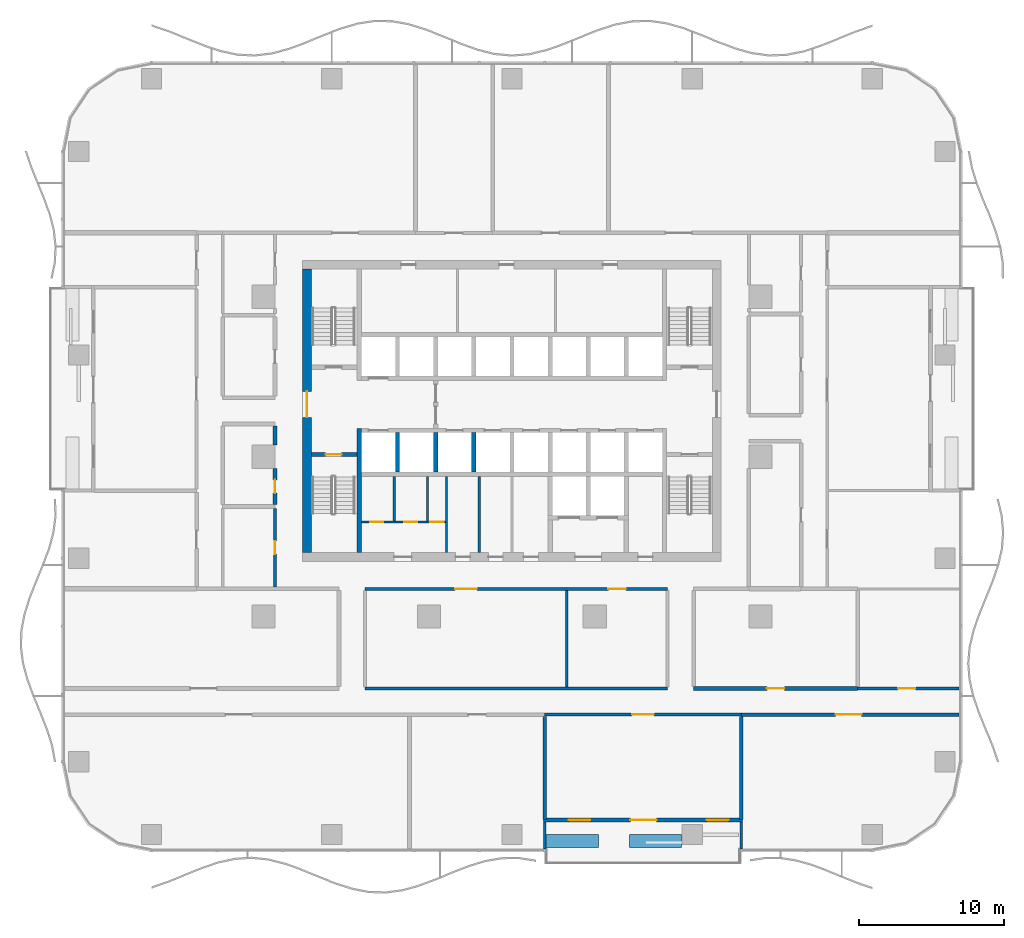
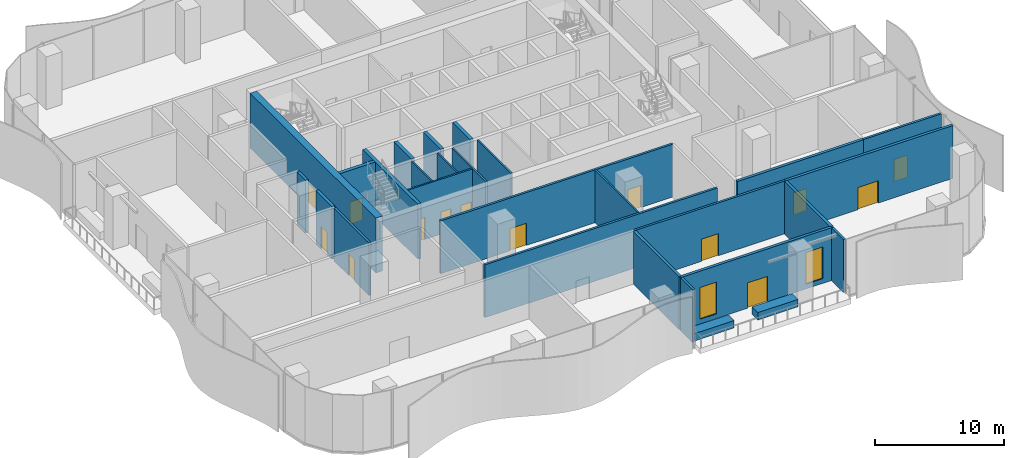
# One storey, part 8 of 21: 28 walls, 14 doors, 2 windows, 16 openings.
"""IFC4 building model written with IfcOpenShell, lengths in metres."""

from ifc_helpers import new_model, si_unit, direction, frame, frame_2d, origin, place, context, subcontext, project, spatial, rectangle, extrude, material, layer, layer_set, type_object, element, fill, save


model = new_model("IFC4")

# Units and contexts
model_context = context("Model", 3, precision=1e-05, world=origin(), true_north=direction((0.0, 1.0)))
body_context = subcontext(model_context, "Body", "Model", "MODEL_VIEW")
ifc_project = project(units=[si_unit("LENGTHUNIT", "METRE"), si_unit("AREAUNIT", "SQUARE_METRE"), si_unit("VOLUMEUNIT", "CUBIC_METRE"), si_unit("PLANEANGLEUNIT", "RADIAN"), si_unit("MASSUNIT", "GRAM", prefix="KILO")], contexts=[model_context])

# Site, building, storey
site_placement = place(None, origin())
site = spatial("IfcSite", under=ifc_project, at=site_placement, CompositionType="ELEMENT")
building_placement = place(site_placement, origin())
building = spatial("IfcBuilding", under=site, at=building_placement, Name="Mopane Tessera Tower", CompositionType="ELEMENT")
storey_placement = place(building_placement, frame((0.0, 0.0, 20.0)))
storey = spatial("IfcBuildingStorey", under=building, at=storey_placement, Name="L03", CompositionType="ELEMENT", Elevation=20.0)

# Wall, openings, doors
ifc_material_1 = material(Name="Fire-rated gypsum board partition")
ifc_layer_1 = layer(ifc_material_1, 0.14990234375)
ifc_layer_set_1 = layer_set([ifc_layer_1], Name="Fire-rated gypsum board partition")
wall_type_1 = type_object("IfcWallType", Name="Core room partition 150 mm", PredefinedType="PARTITIONING", material=ifc_layer_set_1)
wall_1_placement = place(storey_placement, frame((-10.35009765625, -4.5, 0.0), z_axis=(0.0, 0.0, 1.0), x_axis=(1.0, 0.0, 0.0)))
wall_1 = element("IfcWall", 1, at=wall_1_placement, inside=storey, type_object=wall_type_1, Name="L03 WC partition", PredefinedType="PARTITIONING", context=body_context, shape_type="SweptSolid", body=[
    extrude(rectangle(XDim=5.775146484375, YDim=0.14990234375, at=frame_2d((2.8876953125, 0.0))), origin(), (0.0, 0.0, 1.0), 5.199951171875),
])
opening_1_placement = place(wall_1_placement, frame((0.60009765625, 0.0, 0.0)))
opening_1 = element("IfcOpeningElement", 2, at=opening_1_placement, cuts=wall_1, Name="Opening WD1", PredefinedType="OPENING", context=body_context, shape_type="SweptSolid", body=[
    extrude(rectangle(XDim=0.89990234375, YDim=2.10009765625, at=frame_2d((0.449951171875, 1.050048828125))), frame((0.0, 0.0869140625, 0.0), z_axis=(0.0, -1.0, 0.0), x_axis=(1.0, 0.0, 0.0)), (0.0, 0.0, 1.0), 0.173828125),
])
opening_2_placement = place(wall_1_placement, frame((2.93994140625, 0.0, 0.0)))
opening_2 = element("IfcOpeningElement", 3, at=opening_2_placement, cuts=wall_1, Name="Opening WD1", PredefinedType="OPENING", context=body_context, shape_type="SweptSolid", body=[
    extrude(rectangle(XDim=0.89990234375, YDim=2.10009765625, at=frame_2d((0.449951171875, 1.050048828125))), frame((0.0, 0.0869140625, 0.0), z_axis=(0.0, -1.0, 0.0), x_axis=(1.0, 0.0, 0.0)), (0.0, 0.0, 1.0), 0.173828125),
])
opening_3_placement = place(wall_1_placement, frame((4.715087890625, 0.0, 0.0)))
opening_3 = element("IfcOpeningElement", 4, at=opening_3_placement, cuts=wall_1, Name="Opening WD2", PredefinedType="OPENING", context=body_context, shape_type="SweptSolid", body=[
    extrude(rectangle(XDim=0.949951171875, YDim=2.10009765625, at=frame_2d((0.47509765625, 1.050048828125))), frame((0.0, 0.0869140625, 0.0), z_axis=(0.0, -1.0, 0.0), x_axis=(1.0, 0.0, 0.0)), (0.0, 0.0, 1.0), 0.173828125),
])
ifc_material_2 = material(Name="Timber door", Category="wood")
door_type_1 = type_object("IfcDoorType", Name="Accessible WC door 950 x 2100", OperationType="SINGLE_SWING_LEFT", PredefinedType="DOOR", material=ifc_material_2)
door_1_placement = place(opening_3_placement, origin())
door_1 = element("IfcDoor", 5, at=door_1_placement, inside=storey, type_object=door_type_1, Name="L03 Accessible WC door", OperationType="SINGLE_SWING_LEFT", OverallHeight=2.10009765625, OverallWidth=0.949951171875, PredefinedType="DOOR", context=body_context, shape_type="SweptSolid", body=[
    extrude(rectangle(XDim=0.949951171875, YDim=2.10009765625, at=frame_2d((0.47509765625, 1.050048828125))), frame((0.0, 0.02490234375, 0.0), z_axis=(0.0, -1.0, 0.0), x_axis=(1.0, 0.0, 0.0)), (0.0, 0.0, 1.0), 0.050048828125),
])
fill(opening_3, door_1)
ifc_material_3 = material(Name="Timber door", Category="wood")
door_type_2 = type_object("IfcDoorType", Name="WC cubicle door 900 x 2100", OperationType="SINGLE_SWING_LEFT", PredefinedType="DOOR", material=ifc_material_3)
door_2_placement = place(opening_1_placement, origin())
door_2 = element("IfcDoor", 6, at=door_2_placement, inside=storey, type_object=door_type_2, Name="L03 Men's WC door", OperationType="SINGLE_SWING_LEFT", OverallHeight=2.10009765625, OverallWidth=0.89990234375, PredefinedType="DOOR", context=body_context, shape_type="SweptSolid", body=[
    extrude(rectangle(XDim=0.89990234375, YDim=2.10009765625, at=frame_2d((0.449951171875, 1.050048828125))), frame((0.0, 0.02490234375, 0.0), z_axis=(0.0, -1.0, 0.0), x_axis=(1.0, 0.0, 0.0)), (0.0, 0.0, 1.0), 0.050048828125),
])
fill(opening_1, door_2)
door_3_placement = place(opening_2_placement, origin())
door_3 = element("IfcDoor", 7, at=door_3_placement, inside=storey, type_object=door_type_2, Name="L03 Women's WC door", OperationType="SINGLE_SWING_LEFT", OverallHeight=2.10009765625, OverallWidth=0.89990234375, PredefinedType="DOOR", context=body_context, shape_type="SweptSolid", body=[
    extrude(rectangle(XDim=0.89990234375, YDim=2.10009765625, at=frame_2d((0.449951171875, 1.050048828125))), frame((0.0, 0.02490234375, 0.0), z_axis=(0.0, -1.0, 0.0), x_axis=(1.0, 0.0, 0.0)), (0.0, 0.0, 1.0), 0.050048828125),
])
fill(opening_2, door_3)

# Walls
for number, where, z_axis, x_axis, name in (
    (8, (-8.10009765625, -4.425048828125, 0.0), (0.0, 0.0, 1.0), (0.0, 1.0, 0.0), "L03 WC partition"),
    (9, (-5.820068359375, -4.425048828125, 0.0), (0.0, 0.0, 1.0), (0.0, 1.0, 0.0), "L03 WC partition"),
):
    element("IfcWall", number, at=place(storey_placement, frame(where, z_axis=z_axis, x_axis=x_axis)), inside=storey, type_object=wall_type_1, Name=name, PredefinedType="PARTITIONING", context=body_context, shape_type="SweptSolid", body=[
        extrude(rectangle(XDim=3.074951171875, YDim=0.14990234375, at=frame_2d((1.53759765625, 0.0))), origin(), (0.0, 0.0, 1.0), 5.199951171875),
    ])
for number, where, z_axis, x_axis, name in (
    (10, (-4.5, -6.60009765625, 0.0), (0.0, 0.0, 1.0), (0.0, 1.0, 0.0), "L03 Room partition"),
    (11, (-2.25, -6.60009765625, 0.0), (0.0, 0.0, 1.0), (0.0, 1.0, 0.0), "L03 Room partition"),
):
    element("IfcWall", number, at=place(storey_placement, frame(where, z_axis=z_axis, x_axis=x_axis)), inside=storey, type_object=wall_type_1, Name=name, PredefinedType="PARTITIONING", context=body_context, shape_type="SweptSolid", body=[
        extrude(rectangle(XDim=5.25, YDim=0.14990234375, at=frame_2d((2.625, 0.0))), origin(), (0.0, 0.0, 1.0), 5.199951171875),
    ])

# Wall, opening, door
ifc_material_4 = material(Name="Concrete C70/85", Category="concrete")
ifc_layer_2 = layer(ifc_material_4, 0.60009765625)
ifc_layer_set_2 = layer_set([ifc_layer_2], Name="Concrete C70/85")
wall_type_2 = type_object("IfcWallType", Name="Core shear wall 600 mm", PredefinedType="SHEAR", material=ifc_layer_set_2)
wall_2_placement = place(storey_placement, frame((-14.10009765625, -6.60009765625, 0.0), z_axis=(0.0, 0.0, 1.0), x_axis=(0.0, 1.0, 0.0)))
wall_2 = element("IfcWall", 12, at=wall_2_placement, inside=storey, type_object=wall_type_2, Name="L03 Core wall west", PredefinedType="SHEAR", context=body_context, shape_type="SweptSolid", body=[
    extrude(rectangle(XDim=19.5, YDim=0.60009765625, at=frame_2d((9.75, 0.0))), origin(), (0.0, 0.0, 1.0), 5.199951171875),
])
opening_4_placement = place(wall_2_placement, frame((9.300048828125, 0.0, 0.0)))
opening_4 = element("IfcOpeningElement", 13, at=opening_4_placement, cuts=wall_2, Name="Opening SD2", PredefinedType="OPENING", context=body_context, shape_type="SweptSolid", body=[
    extrude(rectangle(XDim=1.800048828125, YDim=2.10009765625, at=frame_2d((0.89990234375, 1.050048828125))), frame((0.0, 0.31201171875, 0.0), z_axis=(0.0, -1.0, 0.0), x_axis=(1.0, 0.0, 0.0)), (0.0, 0.0, 1.0), 0.6240234375),
])
ifc_material_5 = material(Name="Steel fire door", Category="steel")
door_type_3 = type_object("IfcDoorType", Name="Core entrance double door 1800 x 2100", OperationType="DOUBLE_DOOR_SINGLE_SWING", PredefinedType="DOOR", material=ifc_material_5)
door_4_placement = place(opening_4_placement, origin())
door_4 = element("IfcDoor", 14, at=door_4_placement, inside=storey, type_object=door_type_3, Name="L03 Core entrance door west", OperationType="DOUBLE_DOOR_SINGLE_SWING", OverallHeight=2.10009765625, OverallWidth=1.800048828125, PredefinedType="DOOR", context=body_context, shape_type="SweptSolid", body=[
    extrude(rectangle(XDim=1.800048828125, YDim=2.10009765625, at=frame_2d((0.89990234375, 1.050048828125))), frame((0.0, 0.02490234375, 0.0), z_axis=(0.0, -1.0, 0.0), x_axis=(1.0, 0.0, 0.0)), (0.0, 0.0, 1.0), 0.050048828125),
])
fill(opening_4, door_4)

# Wall
ifc_material_6 = material(Name="Concrete C60/75", Category="concrete")
ifc_layer_3 = layer(ifc_material_6, 0.300048828125)
ifc_layer_set_3 = layer_set([ifc_layer_3], Name="Concrete C60/75")
wall_type_3 = type_object("IfcWallType", Name="Core spine wall 300 mm", PredefinedType="SHEAR", material=ifc_layer_set_3)
wall_3_placement = place(storey_placement, frame((-10.5, -6.60009765625, 0.0), z_axis=(0.0, 0.0, 1.0), x_axis=(0.0, 1.0, 0.0)))
element("IfcWall", 15, at=wall_3_placement, inside=storey, type_object=wall_type_3, Name="L03 Core spine wall", PredefinedType="SHEAR", context=body_context, shape_type="SweptSolid", body=[
    extrude(rectangle(XDim=8.550048828125, YDim=0.300048828125, at=frame_2d((4.27490234375, 0.0))), origin(), (0.0, 0.0, 1.0), 5.199951171875),
])

# Wall, opening, door
ifc_material_7 = material(Name="Gypsum board on steel studs, two layers each face, mineral wool infill", Category="steel")
ifc_layer_4 = layer(ifc_material_7, 0.199951171875)
ifc_layer_set_4 = layer_set([ifc_layer_4], Name="Gypsum board on steel studs, two layers each face, mineral wool infill")
wall_type_4 = type_object("IfcWallType", Name="Gypsum board corridor wall 200, rated EI 60", PredefinedType="PARTITIONING", material=ifc_layer_set_4)
wall_4_placement = place(storey_placement, frame((2.2548828125, -17.75, 0.0), z_axis=(0.0, 0.0, 1.0), x_axis=(1.0, 0.0, 0.0)))
wall_4 = element("IfcWall", 16, at=wall_4_placement, inside=storey, type_object=wall_type_4, Name="Partition L03:000", PredefinedType="PARTITIONING", context=body_context, shape_type="SweptSolid", body=[
    extrude(rectangle(XDim=13.525146484375, YDim=0.199951171875, at=frame_2d((6.7626953125, 0.0))), origin(), (0.0, 0.0, 1.0), 5.0),
])
opening_5_placement = place(wall_4_placement, frame((6.012451171875, 0.0, 0.0)))
opening_5 = element("IfcOpeningElement", 17, at=opening_5_placement, cuts=wall_4, Name="Opening L03-19", PredefinedType="OPENING", context=body_context, shape_type="SweptSolid", body=[
    extrude(rectangle(XDim=1.5, YDim=2.10009765625, at=frame_2d((0.75, 1.050048828125))), frame((0.0, 0.112060546875, 0.0), z_axis=(0.0, -1.0, 0.0), x_axis=(1.0, 0.0, 0.0)), (0.0, 0.0, 1.0), 0.223876953125),
])
ifc_material_8 = material(Name="Timber veneered steel-framed fire door", Category="steel")
door_type_4 = type_object("IfcDoorType", Name="Fire door pair FD60 1500 x 2100", OperationType="DOUBLE_DOOR_SINGLE_SWING", PredefinedType="DOOR", material=ifc_material_8)
door_5_placement = place(opening_5_placement, origin())
door_5 = element("IfcDoor", 18, at=door_5_placement, inside=storey, type_object=door_type_4, Name="Door L03-19", ObjectType="D17A", OperationType="DOUBLE_DOOR_SINGLE_SWING", OverallHeight=2.10009765625, OverallWidth=1.5, PredefinedType="DOOR", context=body_context, shape_type="SweptSolid", body=[
    extrude(rectangle(XDim=1.5, YDim=2.10009765625, at=frame_2d((0.75, 1.050048828125))), frame((0.0, 0.02490234375, 0.0), z_axis=(0.0, -1.0, 0.0), x_axis=(1.0, 0.0, 0.0)), (0.0, 0.0, 1.0), 0.050048828125),
])
fill(opening_5, door_5)

# Wall
wall_5_placement = place(storey_placement, frame((-10.10009765625, -15.949951171875, 0.0), z_axis=(0.0, 0.0, 1.0), x_axis=(1.0, 0.0, 0.0)))
element("IfcWall", 19, at=wall_5_placement, inside=storey, type_object=wall_type_4, Name="Partition L03:003", PredefinedType="PARTITIONING", context=body_context, shape_type="SweptSolid", body=[
    extrude(rectangle(XDim=20.81005859375, YDim=0.199951171875, at=frame_2d((10.405029296875, 0.0))), origin(), (0.0, 0.0, 1.0), 5.0),
])

# Wall, opening, door
wall_6_placement = place(storey_placement, frame((23.784912109375, -15.949951171875, 0.0), z_axis=(0.0, 0.0, 1.0), x_axis=(1.0, 0.0, 0.0)))
wall_6 = element("IfcWall", 20, at=wall_6_placement, inside=storey, type_object=wall_type_4, Name="Partition L03:004", PredefinedType="PARTITIONING", context=body_context, shape_type="SweptSolid", body=[
    extrude(rectangle(XDim=6.965087890625, YDim=0.199951171875, at=frame_2d((3.482421875, 0.0))), origin(), (0.0, 0.0, 1.0), 5.0),
])
opening_6_placement = place(wall_6_placement, frame((2.782470703125, 0.0, 0.0)))
opening_6 = element("IfcOpeningElement", 21, at=opening_6_placement, cuts=wall_6, Name="Opening L03-17", PredefinedType="OPENING", context=body_context, shape_type="SweptSolid", body=[
    extrude(rectangle(XDim=1.199951171875, YDim=2.10009765625, at=frame_2d((0.60009765625, 1.050048828125))), frame((0.0, 0.112060546875, 0.0), z_axis=(0.0, -1.0, 0.0), x_axis=(1.0, 0.0, 0.0)), (0.0, 0.0, 1.0), 0.223876953125),
])
ifc_material_9 = material(Name="Timber veneered steel-framed fire door", Category="steel")
door_type_5 = type_object("IfcDoorType", Name="Fire door FD60 1200 x 2100", OperationType="SINGLE_SWING_LEFT", PredefinedType="DOOR", material=ifc_material_9)
door_6_placement = place(opening_6_placement, origin())
door_6 = element("IfcDoor", 22, at=door_6_placement, inside=storey, type_object=door_type_5, Name="Door L03-17", ObjectType="D15A", OperationType="SINGLE_SWING_RIGHT", OverallHeight=2.10009765625, OverallWidth=1.199951171875, PredefinedType="DOOR", context=body_context, shape_type="SweptSolid", body=[
    extrude(rectangle(XDim=1.199951171875, YDim=2.10009765625, at=frame_2d((0.60009765625, 1.050048828125))), frame((0.0, 0.02490234375, 0.0), z_axis=(0.0, -1.0, 0.0), x_axis=(1.0, 0.0, 0.0)), (0.0, 0.0, 1.0), 0.050048828125),
])
fill(opening_6, door_6)

# Wall, openings, doors
wall_7_placement = place(storey_placement, frame((-10.10009765625, -9.10009765625, 0.0), z_axis=(0.0, 0.0, 1.0), x_axis=(1.0, 0.0, 0.0)))
wall_7 = element("IfcWall", 23, at=wall_7_placement, inside=storey, type_object=wall_type_4, Name="Partition L03:008", PredefinedType="PARTITIONING", context=body_context, shape_type="SweptSolid", body=[
    extrude(rectangle(XDim=20.81005859375, YDim=0.199951171875, at=frame_2d((10.405029296875, 0.0))), origin(), (0.0, 0.0, 1.0), 5.0),
])
opening_7_placement = place(wall_7_placement, frame((16.742431640625, 0.0, 0.0)))
opening_7 = element("IfcOpeningElement", 24, at=opening_7_placement, cuts=wall_7, Name="Opening L03-21", PredefinedType="OPENING", context=body_context, shape_type="SweptSolid", body=[
    extrude(rectangle(XDim=1.199951171875, YDim=2.10009765625, at=frame_2d((0.60009765625, 1.050048828125))), frame((0.0, 0.112060546875, 0.0), z_axis=(0.0, -1.0, 0.0), x_axis=(1.0, 0.0, 0.0)), (0.0, 0.0, 1.0), 0.223876953125),
])
opening_8_placement = place(wall_7_placement, frame((6.1875, 0.0, 0.0)))
opening_8 = element("IfcOpeningElement", 25, at=opening_8_placement, cuts=wall_7, Name="Opening L03-25", PredefinedType="OPENING", context=body_context, shape_type="SweptSolid", body=[
    extrude(rectangle(XDim=1.5, YDim=2.10009765625, at=frame_2d((0.75, 1.050048828125))), frame((0.0, 0.112060546875, 0.0), z_axis=(0.0, -1.0, 0.0), x_axis=(1.0, 0.0, 0.0)), (0.0, 0.0, 1.0), 0.223876953125),
])
door_7_placement = place(opening_7_placement, origin())
door_7 = element("IfcDoor", 26, at=door_7_placement, inside=storey, type_object=door_type_5, Name="Door L03-21", ObjectType="D15A", OperationType="SINGLE_SWING_LEFT", OverallHeight=2.10009765625, OverallWidth=1.199951171875, PredefinedType="DOOR", context=body_context, shape_type="SweptSolid", body=[
    extrude(rectangle(XDim=1.199951171875, YDim=2.10009765625, at=frame_2d((0.60009765625, 1.050048828125))), frame((0.0, 0.02490234375, 0.0), z_axis=(0.0, -1.0, 0.0), x_axis=(1.0, 0.0, 0.0)), (0.0, 0.0, 1.0), 0.050048828125),
])
fill(opening_7, door_7)
door_8_placement = place(opening_8_placement, origin())
door_8 = element("IfcDoor", 27, at=door_8_placement, inside=storey, type_object=door_type_4, Name="Door L03-25", ObjectType="D17A", OperationType="DOUBLE_DOOR_SINGLE_SWING", OverallHeight=2.10009765625, OverallWidth=1.5, PredefinedType="DOOR", context=body_context, shape_type="SweptSolid", body=[
    extrude(rectangle(XDim=1.5, YDim=2.10009765625, at=frame_2d((0.75, 1.050048828125))), frame((0.0, 0.02490234375, 0.0), z_axis=(0.0, -1.0, 0.0), x_axis=(1.0, 0.0, 0.0)), (0.0, 0.0, 1.0), 0.050048828125),
])
fill(opening_8, door_8)

# Wall, opening, door
wall_8_placement = place(storey_placement, frame((-16.300048828125, -8.97509765625, 0.0), z_axis=(0.0, 0.0, 1.0), x_axis=(0.0, 1.0, 0.0)))
wall_8 = element("IfcWall", 28, at=wall_8_placement, inside=storey, type_object=wall_type_4, Name="Partition L03:038", PredefinedType="PARTITIONING", context=body_context, shape_type="SweptSolid", body=[
    extrude(rectangle(XDim=5.425048828125, YDim=0.199951171875, at=frame_2d((2.71240234375, 0.0))), origin(), (0.0, 0.0, 1.0), 5.0),
])
opening_9_placement = place(wall_8_placement, frame((2.262451171875, 0.0, 0.0)))
opening_9 = element("IfcOpeningElement", 29, at=opening_9_placement, cuts=wall_8, Name="Opening L03-22", PredefinedType="OPENING", context=body_context, shape_type="SweptSolid", body=[
    extrude(rectangle(XDim=0.89990234375, YDim=2.10009765625, at=frame_2d((0.449951171875, 1.050048828125))), frame((0.0, 0.112060546875, 0.0), z_axis=(0.0, -1.0, 0.0), x_axis=(1.0, 0.0, 0.0)), (0.0, 0.0, 1.0), 0.223876953125),
])
ifc_material_10 = material(Name="Timber veneered steel-framed fire door", Category="steel")
door_type_6 = type_object("IfcDoorType", Name="Fire door FD60 900 x 2100", OperationType="SINGLE_SWING_LEFT", PredefinedType="DOOR", material=ifc_material_10)
door_9_placement = place(opening_9_placement, origin())
door_9 = element("IfcDoor", 30, at=door_9_placement, inside=storey, type_object=door_type_6, Name="Door L03-22", ObjectType="D10A", OperationType="SINGLE_SWING_LEFT", OverallHeight=2.10009765625, OverallWidth=0.89990234375, PredefinedType="DOOR", context=body_context, shape_type="SweptSolid", body=[
    extrude(rectangle(XDim=0.89990234375, YDim=2.10009765625, at=frame_2d((0.449951171875, 1.050048828125))), frame((0.0, 0.02490234375, 0.0), z_axis=(0.0, -1.0, 0.0), x_axis=(1.0, 0.0, 0.0)), (0.0, 0.0, 1.0), 0.050048828125),
])
fill(opening_9, door_9)

# Wall
ifc_material_11 = material(Name="Gypsum board on steel studs, mineral wool infill", Category="steel")
ifc_layer_5 = layer(ifc_material_11, 0.14990234375)
ifc_layer_set_5 = layer_set([ifc_layer_5], Name="Gypsum board on steel studs, mineral wool infill")
wall_type_5 = type_object("IfcWallType", Name="Gypsum board partition 150, rated EI 60", PredefinedType="PARTITIONING", material=ifc_layer_set_5)
wall_9_placement = place(storey_placement, frame((3.77490234375, -15.85009765625, 0.0), z_axis=(0.0, 0.0, 1.0), x_axis=(0.0, 1.0, 0.0)))
element("IfcWall", 31, at=wall_9_placement, inside=storey, type_object=wall_type_5, Name="Partition L03:050", PredefinedType="PARTITIONING", context=body_context, shape_type="SweptSolid", body=[
    extrude(rectangle(XDim=6.650146484375, YDim=0.14990234375, at=frame_2d((3.3251953125, 0.0))), origin(), (0.0, 0.0, 1.0), 5.0),
])

# Wall, opening, door
ifc_material_12 = material(Name="Concrete C50/60", Category="concrete")
ifc_layer_6 = layer(ifc_material_12, 0.300048828125)
ifc_layer_set_6 = layer_set([ifc_layer_6], Name="Concrete C50/60")
wall_type_6 = type_object("IfcWallType", Name="Lift and stair shaft wall 300 mm", PredefinedType="SOLIDWALL", material=ifc_layer_set_6)
wall_10_placement = place(storey_placement, frame((-13.800048828125, 0.14990234375, 0.0), z_axis=(0.0, 0.0, 1.0), x_axis=(1.0, 0.0, 0.0)))
wall_10 = element("IfcWall", 32, at=wall_10_placement, inside=storey, type_object=wall_type_6, Name="L03 Stair enclosure wall", PredefinedType="SOLIDWALL", context=body_context, shape_type="SweptSolid", body=[
    extrude(rectangle(XDim=3.150146484375, YDim=0.300048828125, at=frame_2d((1.5751953125, 0.0))), origin(), (0.0, 0.0, 1.0), 5.199951171875),
])
opening_10_placement = place(wall_10_placement, frame((0.97509765625, 0.0, 0.0)))
opening_10 = element("IfcOpeningElement", 33, at=opening_10_placement, cuts=wall_10, Name="Opening SD1", PredefinedType="OPENING", context=body_context, shape_type="SweptSolid", body=[
    extrude(rectangle(XDim=1.10009765625, YDim=2.10009765625, at=frame_2d((0.550048828125, 1.050048828125))), frame((0.0, 0.162109375, 0.0), z_axis=(0.0, -1.0, 0.0), x_axis=(1.0, 0.0, 0.0)), (0.0, 0.0, 1.0), 0.323974609375),
])
ifc_material_13 = material(Name="Steel fire door", Category="steel")
door_type_7 = type_object("IfcDoorType", Name="Stair fire door 1100 x 2100", OperationType="SINGLE_SWING_LEFT", PredefinedType="DOOR", material=ifc_material_13)
door_10_placement = place(opening_10_placement, origin())
door_10 = element("IfcDoor", 34, at=door_10_placement, inside=storey, type_object=door_type_7, Name="L03 Stair door ST1", OperationType="SINGLE_SWING_LEFT", OverallHeight=2.10009765625, OverallWidth=1.10009765625, PredefinedType="DOOR", context=body_context, shape_type="SweptSolid", body=[
    extrude(rectangle(XDim=1.10009765625, YDim=2.10009765625, at=frame_2d((0.550048828125, 1.050048828125))), frame((0.0, 0.02490234375, 0.0), z_axis=(0.0, -1.0, 0.0), x_axis=(1.0, 0.0, 0.0)), (0.0, 0.0, 1.0), 0.050048828125),
])
fill(opening_10, door_10)

# Walls
for number, where, z_axis, x_axis, name in (
    (35, (-7.875, -1.050048828125, 0.0), (0.0, 0.0, 1.0), (0.0, 1.0, 0.0), "L03 Lift shaft wall"),
    (36, (-5.25, -1.050048828125, 0.0), (0.0, 0.0, 1.0), (0.0, 1.0, 0.0), "L03 Lift shaft wall"),
    (37, (-2.625, -1.050048828125, 0.0), (0.0, 0.0, 1.0), (0.0, 1.0, 0.0), "L03 Lift shaft wall"),
):
    element("IfcWall", number, at=place(storey_placement, frame(where, z_axis=z_axis, x_axis=x_axis)), inside=storey, type_object=wall_type_6, Name=name, PredefinedType="SOLIDWALL", context=body_context, shape_type="SweptSolid", body=[
        extrude(rectangle(XDim=2.699951171875, YDim=0.300048828125, at=frame_2d((1.35009765625, 0.0))), origin(), (0.0, 0.0, 1.0), 5.199951171875),
    ])
ifc_material_14 = material(Name="Reinforced concrete C32/40 with waterproofing", Category="concrete")
ifc_layer_7 = layer(ifc_material_14, 0.89990234375)
ifc_layer_set_7 = layer_set([ifc_layer_7], Name="Reinforced concrete C32/40 with waterproofing")
wall_type_7 = type_object("IfcWallType", Name="Planter trough 3600 x 900", PredefinedType="STANDARD", material=ifc_layer_set_7)
for number, where, z_axis, x_axis, name in (
    (38, (2.3544921875, -26.449951171875, 0.0), (0.0, 0.0, 1.0), (1.0, 0.0, 0.0), "e:nw:L03:N1:pl0"),
    (39, (8.079833984375, -26.449951171875, 0.0), (0.0, 0.0, 1.0), (1.0, 0.0, 0.0), "e:nw:L03:N1:pl1"),
):
    element("IfcWall", number, at=place(storey_placement, frame(where, z_axis=z_axis, x_axis=x_axis)), inside=storey, type_object=wall_type_7, Name=name, PredefinedType="STANDARD", context=body_context, shape_type="SweptSolid", body=[
        extrude(rectangle(XDim=3.60009765625, YDim=0.89990234375, at=frame_2d((1.800048828125, 0.0))), origin(), (0.0, 0.0, 1.0), 0.699951171875),
    ])

# Wall, opening, door
ifc_material_15 = material(Name="Plastered concrete blockwork C20/25", Category="masonry")
ifc_layer_8 = layer(ifc_material_15, 0.25)
ifc_layer_set_8 = layer_set([ifc_layer_8], Name="Plastered concrete blockwork C20/25")
wall_type_8 = type_object("IfcWallType", Name="Plastered blockwork wall 250, rated EI 120", PredefinedType="PARTITIONING", material=ifc_layer_set_8)
wall_11_placement = place(storey_placement, frame((15.780029296875, -17.75, 0.0), z_axis=(0.0, 0.0, 1.0), x_axis=(1.0, 0.0, 0.0)))
wall_11 = element("IfcWall", 40, at=wall_11_placement, inside=storey, type_object=wall_type_8, Name="Partition L03:002", PredefinedType="PARTITIONING", context=body_context, shape_type="SweptSolid", body=[
    extrude(rectangle(XDim=14.969970703125, YDim=0.25, at=frame_2d((7.48486328125, 0.0))), origin(), (0.0, 0.0, 1.0), 5.0),
])
opening_11_placement = place(wall_11_placement, frame((6.485107421875, 0.0, 0.0)))
opening_11 = element("IfcOpeningElement", 41, at=opening_11_placement, cuts=wall_11, Name="Opening L03-07", PredefinedType="OPENING", context=body_context, shape_type="SweptSolid", body=[
    extrude(rectangle(XDim=1.800048828125, YDim=2.10009765625, at=frame_2d((0.89990234375, 1.050048828125))), frame((0.0, 0.136962890625, 0.0), z_axis=(0.0, -1.0, 0.0), x_axis=(1.0, 0.0, 0.0)), (0.0, 0.0, 1.0), 0.27392578125),
])
ifc_material_16 = material(Name="Timber veneered steel-framed fire door", Category="steel")
door_type_8 = type_object("IfcDoorType", Name="Fire door pair FD120 1800 x 2100", OperationType="DOUBLE_DOOR_SINGLE_SWING", PredefinedType="DOOR", material=ifc_material_16)
door_11_placement = place(opening_11_placement, origin())
door_11 = element("IfcDoor", 42, at=door_11_placement, inside=storey, type_object=door_type_8, Name="Door L03-07", ObjectType="D20B", OperationType="DOUBLE_DOOR_SINGLE_SWING", OverallHeight=2.10009765625, OverallWidth=1.800048828125, PredefinedType="DOOR", context=body_context, shape_type="SweptSolid", body=[
    extrude(rectangle(XDim=1.800048828125, YDim=2.10009765625, at=frame_2d((0.89990234375, 1.050048828125))), frame((0.0, 0.02490234375, 0.0), z_axis=(0.0, -1.0, 0.0), x_axis=(1.0, 0.0, 0.0)), (0.0, 0.0, 1.0), 0.050048828125),
])
fill(opening_11, door_11)

wall_12_placement = place(storey_placement, frame((12.510009765625, -15.949951171875, 0.0), z_axis=(0.0, 0.0, 1.0), x_axis=(1.0, 0.0, 0.0)))
wall_12 = element("IfcWall", 43, at=wall_12_placement, inside=storey, type_object=wall_type_8, Name="Partition L03:006", PredefinedType="PARTITIONING", context=body_context, shape_type="SweptSolid", body=[
    extrude(rectangle(XDim=11.27490234375, YDim=0.25, at=frame_2d((5.637451171875, 0.0))), origin(), (0.0, 0.0, 1.0), 5.0),
])
opening_12_placement = place(wall_12_placement, frame((5.03759765625, 0.0, 0.0)))
opening_12 = element("IfcOpeningElement", 44, at=opening_12_placement, cuts=wall_12, Name="Opening L03-15", PredefinedType="OPENING", context=body_context, shape_type="SweptSolid", body=[
    extrude(rectangle(XDim=1.199951171875, YDim=2.10009765625, at=frame_2d((0.60009765625, 1.050048828125))), frame((0.0, 0.136962890625, 0.0), z_axis=(0.0, -1.0, 0.0), x_axis=(1.0, 0.0, 0.0)), (0.0, 0.0, 1.0), 0.27392578125),
])
ifc_material_17 = material(Name="Timber veneered steel-framed fire door", Category="steel")
door_type_9 = type_object("IfcDoorType", Name="Fire door FD120 1200 x 2100", OperationType="SINGLE_SWING_LEFT", PredefinedType="DOOR", material=ifc_material_17)
door_12_placement = place(opening_12_placement, origin())
door_12 = element("IfcDoor", 45, at=door_12_placement, inside=storey, type_object=door_type_9, Name="Door L03-15", ObjectType="D15B", OperationType="SINGLE_SWING_LEFT", OverallHeight=2.10009765625, OverallWidth=1.199951171875, PredefinedType="DOOR", context=body_context, shape_type="SweptSolid", body=[
    extrude(rectangle(XDim=1.199951171875, YDim=2.10009765625, at=frame_2d((0.60009765625, 1.050048828125))), frame((0.0, 0.02490234375, 0.0), z_axis=(0.0, -1.0, 0.0), x_axis=(1.0, 0.0, 0.0)), (0.0, 0.0, 1.0), 0.050048828125),
])
fill(opening_12, door_12)

wall_13_placement = place(storey_placement, frame((-16.300048828125, -3.300048828125, 0.0), z_axis=(0.0, 0.0, 1.0), x_axis=(0.0, 1.0, 0.0)))
wall_13 = element("IfcWall", 46, at=wall_13_placement, inside=storey, type_object=wall_type_8, Name="Partition L03:041", PredefinedType="PARTITIONING", context=body_context, shape_type="SweptSolid", body=[
    extrude(rectangle(XDim=2.5, YDim=0.25, at=frame_2d((1.25, 0.0))), origin(), (0.0, 0.0, 1.0), 5.0),
])
opening_13_placement = place(wall_13_placement, frame((0.800048828125, 0.0, 0.0)))
opening_13 = element("IfcOpeningElement", 47, at=opening_13_placement, cuts=wall_13, Name="Opening L03-10", PredefinedType="OPENING", context=body_context, shape_type="SweptSolid", body=[
    extrude(rectangle(XDim=0.89990234375, YDim=2.10009765625, at=frame_2d((0.449951171875, 1.050048828125))), frame((0.0, 0.136962890625, 0.0), z_axis=(0.0, -1.0, 0.0), x_axis=(1.0, 0.0, 0.0)), (0.0, 0.0, 1.0), 0.27392578125),
])
ifc_material_18 = material(Name="Timber veneered steel-framed fire door", Category="steel")
door_type_10 = type_object("IfcDoorType", Name="Fire door FD120 900 x 2100", OperationType="SINGLE_SWING_LEFT", PredefinedType="DOOR", material=ifc_material_18)
door_13_placement = place(opening_13_placement, origin())
door_13 = element("IfcDoor", 48, at=door_13_placement, inside=storey, type_object=door_type_10, Name="Door L03-10", ObjectType="D10B", OperationType="SINGLE_SWING_RIGHT", OverallHeight=2.10009765625, OverallWidth=0.89990234375, PredefinedType="DOOR", context=body_context, shape_type="SweptSolid", body=[
    extrude(rectangle(XDim=0.89990234375, YDim=2.10009765625, at=frame_2d((0.449951171875, 1.050048828125))), frame((0.0, 0.02490234375, 0.0), z_axis=(0.0, -1.0, 0.0), x_axis=(1.0, 0.0, 0.0)), (0.0, 0.0, 1.0), 0.050048828125),
])
fill(opening_13, door_13)

# Walls
wall_14_placement = place(storey_placement, frame((-16.300048828125, 0.800048828125, 0.0), z_axis=(0.0, 0.0, 1.0), x_axis=(0.0, 1.0, 0.0)))
element("IfcWall", 49, at=wall_14_placement, inside=storey, type_object=wall_type_8, Name="Partition L03:042", PredefinedType="PARTITIONING", context=body_context, shape_type="SweptSolid", body=[
    extrude(rectangle(XDim=1.324951171875, YDim=0.25, at=frame_2d((0.66259765625, 0.0))), origin(), (0.0, 0.0, 1.0), 5.0),
])
for number, where, z_axis, x_axis, name in (
    (50, (2.2548828125, -24.949951171875, 0.0), (0.0, 0.0, 1.0), (0.0, 1.0, 0.0), "Partition L03:049"),
    (51, (15.780029296875, -24.949951171875, 0.0), (0.0, 0.0, 1.0), (0.0, 1.0, 0.0), "Partition L03:054"),
):
    element("IfcWall", number, at=place(storey_placement, frame(where, z_axis=z_axis, x_axis=x_axis)), inside=storey, type_object=wall_type_8, Name=name, PredefinedType="PARTITIONING", context=body_context, shape_type="SweptSolid", body=[
        extrude(rectangle(XDim=7.074951171875, YDim=0.25, at=frame_2d((3.53759765625, 0.0))), origin(), (0.0, 0.0, 1.0), 5.0),
    ])
ifc_material_19 = material(Name="Blockwork with glazed tile facing", Category="masonry")
ifc_layer_9 = layer(ifc_material_19, 0.199951171875)
ifc_layer_set_9 = layer_set([ifc_layer_9], Name="Blockwork with glazed tile facing")
wall_type_9 = type_object("IfcWallType", Name="Terrace cheek wall 200", PredefinedType="STANDARD", material=ifc_layer_set_9)
for number, where, z_axis, x_axis, name in (
    (52, (2.254638671875, -27.0, 0.0), (0.0, 0.0, 1.0), (0.0, 1.0, 0.0), "e:nw:L03:N1:cheeka"),
    (53, (15.78173828125, -27.0, 0.0), (0.0, 0.0, 1.0), (0.0, 1.0, 0.0), "e:nw:L03:N1:cheekb"),
):
    element("IfcWall", number, at=place(storey_placement, frame(where, z_axis=z_axis, x_axis=x_axis)), inside=storey, type_object=wall_type_9, Name=name, PredefinedType="STANDARD", context=body_context, shape_type="SweptSolid", body=[
        extrude(rectangle(XDim=1.875, YDim=0.199951171875, at=frame_2d((0.9375, 0.0))), origin(), (0.0, 0.0, 1.0), 5.0),
    ])

# Wall, openings, windows, door
ifc_material_20 = material(Name="Blockwork with turquoise glazed tile facing", Category="masonry")
ifc_layer_10 = layer(ifc_material_20, 0.25)
ifc_layer_set_10 = layer_set([ifc_layer_10], Name="Blockwork with turquoise glazed tile facing")
wall_type_10 = type_object("IfcWallType", Name="Tile-clad external wall 250, turquoise", PredefinedType="STANDARD", material=ifc_layer_set_10)
wall_15_placement = place(storey_placement, frame((2.154541015625, -25.0, 0.0), z_axis=(0.0, 0.0, 1.0), x_axis=(1.0, 0.0, 0.0)))
wall_15 = element("IfcWall", 54, at=wall_15_placement, inside=storey, type_object=wall_type_10, Name="e:nw:L03:N1:back", PredefinedType="STANDARD", context=body_context, shape_type="SweptSolid", body=[
    extrude(rectangle(XDim=13.727294921875, YDim=0.25, at=frame_2d((6.86376953125, 0.0))), origin(), (0.0, 0.0, 1.0), 5.0),
])
opening_14_placement = place(wall_15_placement, frame((1.75, 0.0, 0.449951171875)))
opening_14 = element("IfcOpeningElement", 55, at=opening_14_placement, cuts=wall_15, Name="Opening NW031A", PredefinedType="OPENING", context=body_context, shape_type="SweptSolid", body=[
    extrude(rectangle(XDim=1.5, YDim=3.0, at=frame_2d((0.75, 1.5))), frame((0.0, 0.136962890625, 0.0), z_axis=(0.0, -1.0, 0.0), x_axis=(1.0, 0.0, 0.0)), (0.0, 0.0, 1.0), 0.27392578125),
])
opening_15_placement = place(wall_15_placement, frame((6.0, 0.0, 0.0)))
opening_15 = element("IfcOpeningElement", 56, at=opening_15_placement, cuts=wall_15, Name="Opening ND031", PredefinedType="OPENING", context=body_context, shape_type="SweptSolid", body=[
    extrude(rectangle(XDim=1.800048828125, YDim=2.39990234375, at=frame_2d((0.89990234375, 1.199951171875))), frame((0.0, 0.136962890625, 0.0), z_axis=(0.0, -1.0, 0.0), x_axis=(1.0, 0.0, 0.0)), (0.0, 0.0, 1.0), 0.27392578125),
])
opening_16_placement = place(wall_15_placement, frame((11.25, 0.0, 0.449951171875)))
opening_16 = element("IfcOpeningElement", 57, at=opening_16_placement, cuts=wall_15, Name="Opening NW031B", PredefinedType="OPENING", context=body_context, shape_type="SweptSolid", body=[
    extrude(rectangle(XDim=1.5, YDim=3.0, at=frame_2d((0.75, 1.5))), frame((0.0, 0.136962890625, 0.0), z_axis=(0.0, -1.0, 0.0), x_axis=(1.0, 0.0, 0.0)), (0.0, 0.0, 1.0), 0.27392578125),
])
ifc_material_21 = material(Name="Clear laminated glass", Category="glass")
window_type = type_object("IfcWindowType", Name="Fixed window 1500 x 3000", PartitioningType="SINGLE_PANEL", PredefinedType="WINDOW", material=ifc_material_21)
window_1_placement = place(opening_14_placement, origin())
window_1 = element("IfcWindow", 58, at=window_1_placement, inside=storey, type_object=window_type, Name="e:nw:L03:N1:win0", OverallHeight=3.0, OverallWidth=1.5, PartitioningType="SINGLE_PANEL", PredefinedType="WINDOW", context=body_context, shape_type="SweptSolid", body=[
    extrude(rectangle(XDim=1.5, YDim=3.0, at=frame_2d((0.75, 1.5))), frame((0.0, 0.030029296875, 0.0), z_axis=(0.0, -1.0, 0.0), x_axis=(1.0, 0.0, 0.0)), (0.0, 0.0, 1.0), 0.06005859375),
])
fill(opening_14, window_1)
window_2_placement = place(opening_16_placement, origin())
window_2 = element("IfcWindow", 59, at=window_2_placement, inside=storey, type_object=window_type, Name="e:nw:L03:N1:win2", OverallHeight=3.0, OverallWidth=1.5, PartitioningType="SINGLE_PANEL", PredefinedType="WINDOW", context=body_context, shape_type="SweptSolid", body=[
    extrude(rectangle(XDim=1.5, YDim=3.0, at=frame_2d((0.75, 1.5))), frame((0.0, 0.030029296875, 0.0), z_axis=(0.0, -1.0, 0.0), x_axis=(1.0, 0.0, 0.0)), (0.0, 0.0, 1.0), 0.06005859375),
])
fill(opening_16, window_2)
ifc_material_22 = material(Name="Aluminium and clear glass", Category="aluminium")
door_type_11 = type_object("IfcDoorType", Name="Terrace double door 1800 x 2400", OperationType="DOUBLE_DOOR_SINGLE_SWING", PredefinedType="DOOR", material=ifc_material_22)
door_14_placement = place(opening_15_placement, origin())
door_14 = element("IfcDoor", 60, at=door_14_placement, inside=storey, type_object=door_type_11, Name="e:nw:L03:N1:door", ObjectType="D1", OperationType="DOUBLE_DOOR_SINGLE_SWING", OverallHeight=2.39990234375, OverallWidth=1.800048828125, PredefinedType="DOOR", context=body_context, shape_type="SweptSolid", body=[
    extrude(rectangle(XDim=1.800048828125, YDim=2.39990234375, at=frame_2d((0.89990234375, 1.199951171875))), frame((0.0, 0.02490234375, 0.0), z_axis=(0.0, -1.0, 0.0), x_axis=(1.0, 0.0, 0.0)), (0.0, 0.0, 1.0), 0.050048828125),
])
fill(opening_15, door_14)

save(model, "model.ifc")
